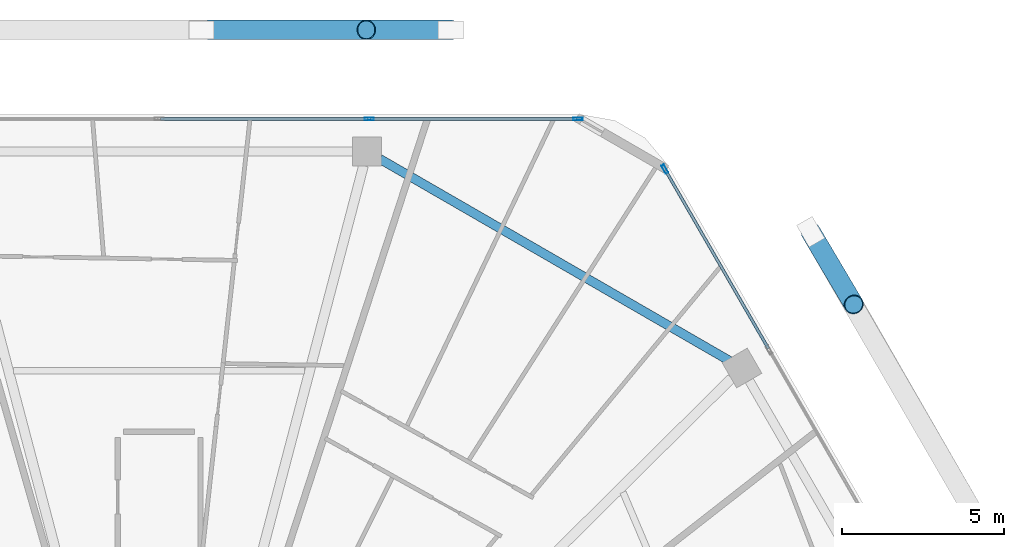
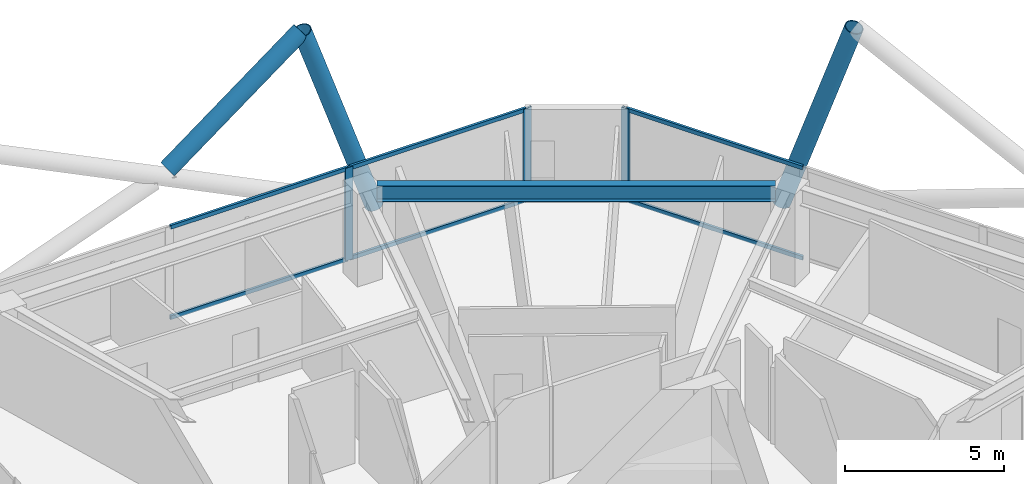
# One storey, part 18 of 29: 12 members, 1 beam, 2 elements without a shape of their own.
"""IFC4 building model written with IfcOpenShell, lengths in metres."""

import ifcopenshell
import ifcopenshell.guid

model = None  # the IFC model being written
_history = None  # IfcOwnerHistory: only IFC2X3 demands one
_inside = {}  # id of a spatial element -> (the spatial element, [elements in it])
_under = {}  # id of a project, library or spatial element -> (it, [spatial elements below it])
_declared = {}  # id of a project -> (the project, [libraries it declares])
_typed = {}  # id of a type object -> (the type object, [elements of that type])
_made_of = {}  # id of a material, layer set ... -> (it, [elements and type objects made of it])


def new_model(schema):
    """Start an empty IFC model of exactly this schema.

    Asked for "IFC4X3", IfcOpenShell would pick the latest addendum, in which some entities
    have other attributes; the version numbers below select the first issue.
    IFC2X3 requires an IfcOwnerHistory on every rooted entity: one is made here for all.
    """
    global model, _history
    if schema == "IFC4X3":
        model = ifcopenshell.file(schema_version=(4, 3, 0, 0))
    else:
        model = ifcopenshell.file(schema=schema)
    _inside.clear()
    _under.clear()
    _declared.clear()
    _typed.clear()
    _made_of.clear()
    _history = None
    if model.schema == "IFC2X3":
        org = make("IfcOrganization", Name="unknown")
        user = make(
            "IfcPersonAndOrganization",
            ThePerson=make("IfcPerson", FamilyName="unknown"),
            TheOrganization=org,
        )
        app = make(
            "IfcApplication",
            ApplicationDeveloper=org,
            Version="unknown",
            ApplicationFullName="unknown",
            ApplicationIdentifier="unknown",
        )
        _history = make(
            "IfcOwnerHistory",
            OwningUser=user,
            OwningApplication=app,
            ChangeAction="ADDED",
            CreationDate=0,
        )
    return model


def make(cls, **values):
    """One entity of the class cls with the attributes given. An attribute that is None is left unset."""
    return model.create_entity(
        cls, **{name: value for name, value in values.items() if value is not None}
    )


def rooted(cls, **values):
    """An entity with a GlobalId (a new one), such as an element, a storey or a relation."""
    return make(cls, GlobalId=ifcopenshell.guid.new(), OwnerHistory=_history, **values)


def si_unit(unit_type, name, prefix=None):
    """IfcSIUnit, for example si_unit("LENGTHUNIT", "METRE", prefix="MILLI")."""
    return make("IfcSIUnit", UnitType=unit_type, Prefix=prefix, Name=name)


def assignment(units):
    """IfcUnitAssignment: the units of a project."""
    return None if units is None else make("IfcUnitAssignment", Units=units)


def point(xyz):
    """IfcCartesianPoint."""
    return None if xyz is None else make("IfcCartesianPoint", Coordinates=xyz)


def direction(xyz):
    """IfcDirection."""
    return None if xyz is None else make("IfcDirection", DirectionRatios=xyz)


def frame(location, z_axis=None, x_axis=None):
    """IfcAxis2Placement3D, a coordinate frame: its origin and axes. An axis left out is left unset."""
    return make(
        "IfcAxis2Placement3D",
        Location=point(location),
        Axis=direction(z_axis),
        RefDirection=direction(x_axis),
    )


def frame_2d(location, x_axis=None):
    """IfcAxis2Placement2D, a coordinate frame in the plane: its origin and x axis."""
    return make(
        "IfcAxis2Placement2D", Location=point(location), RefDirection=direction(x_axis)
    )


def origin():
    """The frame at (0, 0, 0) with its axes left unset."""
    return frame((0.0, 0.0, 0.0))


def origin_2d():
    """The frame at (0, 0) in the plane with its x axis left unset."""
    return frame_2d((0.0, 0.0))


def place(relative_to, where):
    """IfcLocalPlacement: puts the frame where relative to a parent placement (None: the world)."""
    return make(
        "IfcLocalPlacement", PlacementRelTo=relative_to, RelativePlacement=where
    )


def context(
    kind, dimensions, precision=None, world=None, true_north=None, identifier=None
):
    """IfcGeometricRepresentationContext, for example the 3D "Model" context."""
    return make(
        "IfcGeometricRepresentationContext",
        ContextIdentifier=identifier,
        ContextType=kind,
        CoordinateSpaceDimension=dimensions,
        Precision=precision,
        WorldCoordinateSystem=world,
        TrueNorth=true_north,
    )


def subcontext(parent, identifier, kind, view, scale=None):
    """IfcGeometricRepresentationSubContext, for example "Body" below "Model"."""
    return make(
        "IfcGeometricRepresentationSubContext",
        ContextIdentifier=identifier,
        ContextType=kind,
        ParentContext=parent,
        TargetScale=scale,
        TargetView=view,
    )


def project(units=None, contexts=None):
    """IfcProject with its units and contexts."""
    return rooted(
        "IfcProject",
        Name="project",
        RepresentationContexts=contexts,
        UnitsInContext=assignment(units),
    )


def spatial(cls, under=None, at=None, **own):
    """A site, building, storey or space (cls), placed at a placement, below another one or the project."""
    s = rooted(cls, ObjectPlacement=at, **own)
    if under is not None:
        _under.setdefault(under.id(), (under, []))[1].append(s)
    return s


def profile(cls, at=None, kind="AREA", **sizes):
    """A parametric profile (cls). Its sizes go by their IFC names, for example OverallWidth=200.0."""
    return make(cls, ProfileType=kind, Position=at, **sizes)


def hollow_rectangle(**sizes):
    """IfcRectangleHollowProfileDef."""
    return profile("IfcRectangleHollowProfileDef", **sizes)


def hollow_circle(**sizes):
    """IfcCircleHollowProfileDef."""
    return profile("IfcCircleHollowProfileDef", **sizes)


def i_section(**sizes):
    """IfcIShapeProfileDef."""
    return profile("IfcIShapeProfileDef", **sizes)


def extrude(swept, where, along, depth):
    """IfcExtrudedAreaSolid: the profile swept, set in the frame where, extruded along a direction by depth."""
    return make(
        "IfcExtrudedAreaSolid",
        SweptArea=swept,
        Position=where,
        ExtrudedDirection=direction(along),
        Depth=depth,
    )


def shape(context_of_items, identifier, shape_type, items):
    """IfcShapeRepresentation: the items that make up one representation, for example the "Body"."""
    return make(
        "IfcShapeRepresentation",
        ContextOfItems=context_of_items,
        RepresentationIdentifier=identifier,
        RepresentationType=shape_type,
        Items=items,
    )


def material(Name=None, Category=None):
    """IfcMaterial."""
    return make("IfcMaterial", Name=Name, Category=Category)


def material_profile(
    of_material, cross_section, Name=None, Category=None, Priority=None
):
    """IfcMaterialProfile: a cross section and its material."""
    return make(
        "IfcMaterialProfile",
        Name=Name,
        Material=of_material,
        Profile=cross_section,
        Priority=Priority,
        Category=Category,
    )


def profile_set(profiles, Name=None, composite=None):
    """IfcMaterialProfileSet."""
    return make(
        "IfcMaterialProfileSet",
        Name=Name,
        MaterialProfiles=profiles,
        CompositeProfile=composite,
    )


def made_of(thing, what):
    """Note that an element or type object is made of a material, layer set ...; save() writes the relation."""
    if what is not None:
        _made_of.setdefault(what.id(), (what, []))[1].append(thing)
    return thing


def type_object(cls, material=None, **own):
    """A type object (cls), such as IfcWallType, which elements share."""
    return made_of(rooted(cls, **own), material)


def element(
    cls,
    number,
    at=None,
    inside=None,
    cuts=None,
    type_object=None,
    material=None,
    context=None,
    identifier="Body",
    shape_type=None,
    held_by="IfcProductDefinitionShape",
    body=None,
    shapes=None,
    **own,
):
    """One element of the class cls, such as IfcWall. Its Tag is "e" and its number.

    at: its placement. inside: the storey or other place that contains it. cuts: it is an
    opening in that element (IfcRelVoidsElement). A single representation is given by context,
    identifier, shape_type and body (its items); several are given by shapes. held_by: the class
    of the entity that holds the representations. save() writes the other relations.
    """
    e = rooted(cls, Tag="e%d" % number, ObjectPlacement=at, **own)
    if body is not None:
        shapes = [shape(context, identifier, shape_type, body)]
    if shapes is not None:
        e.Representation = make(held_by, Representations=shapes)
    if inside is not None:
        _inside.setdefault(inside.id(), (inside, []))[1].append(e)
    if cuts is not None:
        rooted(
            "IfcRelVoidsElement", RelatingBuildingElement=cuts, RelatedOpeningElement=e
        )
    if type_object is not None:
        _typed.setdefault(type_object.id(), (type_object, []))[1].append(e)
    return made_of(e, material)


def aggregate(whole, parts):
    """IfcRelAggregates: a whole, such as a stair, and the parts it consists of."""
    return rooted("IfcRelAggregates", RelatingObject=whole, RelatedObjects=parts)


def save(model, path):
    """Write the relations noted so far, then the file.

    IfcRelAggregates (storeys below a building ...), IfcRelContainedInSpatialStructure (elements
    in a storey), IfcRelDefinesByType, IfcRelAssociatesMaterial and IfcRelDeclares: one each for
    every whole, place, type object, material and project.
    """
    for whole, parts in _under.values():
        aggregate(whole, parts)
    for where, things in _inside.values():
        rooted(
            "IfcRelContainedInSpatialStructure",
            RelatedElements=things,
            RelatingStructure=where,
        )
    for kind, things in _typed.values():
        rooted("IfcRelDefinesByType", RelatedObjects=things, RelatingType=kind)
    for what, things in _made_of.values():
        rooted("IfcRelAssociatesMaterial", RelatedObjects=things, RelatingMaterial=what)
    for by, libraries in _declared.values():
        rooted("IfcRelDeclares", RelatingContext=by, RelatedDefinitions=libraries)
    model.write(path)


model = new_model("IFC4")

# Units and contexts
model_context = context("Model", 3, precision=1e-05, world=origin(), true_north=direction((0.0, 1.0)))
body_context = subcontext(model_context, "Body", "Model", "MODEL_VIEW")
ifc_project = project(units=[si_unit("LENGTHUNIT", "METRE"), si_unit("AREAUNIT", "SQUARE_METRE"), si_unit("VOLUMEUNIT", "CUBIC_METRE"), si_unit("PLANEANGLEUNIT", "RADIAN"), si_unit("MASSUNIT", "GRAM", prefix="KILO")], contexts=[model_context])

# Site, building, storey
site_placement = place(None, origin())
site = spatial("IfcSite", under=ifc_project, at=site_placement, CompositionType="ELEMENT")
building_placement = place(site_placement, origin())
building = spatial("IfcBuilding", under=site, at=building_placement, Name="Zuhravey Tower", CompositionType="ELEMENT")
storey_placement = place(building_placement, frame((0.0, 0.0, 246.39990234375)))
storey = spatial("IfcBuildingStorey", under=building, at=storey_placement, Name="L62", CompositionType="ELEMENT", Elevation=246.39990234375)

# Curtain wall, members
ifc_material_1 = material(Name="Thermally broken anodised aluminium", Category="aluminium")
curtain_wall_type = type_object("IfcCurtainWallType", Name="Zone 3-4 High-Rise Curtain Wall CW4", PredefinedType="NOTDEFINED", material=ifc_material_1)
curtain_wall_1_placement = place(storey_placement, origin())
curtain_wall_1 = element("IfcCurtainWall", 1, at=curtain_wall_1_placement, inside=storey, type_object=curtain_wall_type, Name="L62 CW4 CW-L62-F2-1", PredefinedType="NOTDEFINED")
ifc_material_2 = material(Name="Anodised aluminium", Category="aluminium")
ifc_material_profile_1 = material_profile(ifc_material_2, hollow_rectangle(XDim=0.090087890625, YDim=0.284912109375, WallThickness=0.0048828125, at=origin_2d()), Name="ALU-RHS-90x285x5")
ifc_profile_set_1 = profile_set([ifc_material_profile_1], Name="Anodised aluminium")
member_type_1 = type_object("IfcMemberType", Name="Curtain-Wall Mullion 90x180", PredefinedType="MULLION", material=ifc_profile_set_1)
member_1_placement = place(storey_placement, frame((42.50634765625, 57.563720703125, 0.0), z_axis=(0.0, 0.0, 1.0), x_axis=(0.0, 1.0, 0.0)))
member_1 = element("IfcMember", 2, at=member_1_placement, type_object=member_type_1, Name="CW4 mullion 4", PredefinedType="MULLION", context=body_context, shape_type="SweptSolid", body=[
    extrude(hollow_rectangle(XDim=0.090087890625, YDim=0.284912109375, WallThickness=0.0048828125, at=origin_2d()), origin(), (0.0, 0.0, 1.0), 3.550048828125),
])
member_2_placement = place(storey_placement, frame((48.9677734375, 57.563720703125, 0.0), z_axis=(0.0, 0.0, 1.0), x_axis=(0.0, 1.0, 0.0)))
member_2 = element("IfcMember", 3, at=member_2_placement, type_object=member_type_1, Name="CW4 mullion 5", PredefinedType="MULLION", context=body_context, shape_type="SweptSolid", body=[
    extrude(hollow_rectangle(XDim=0.090087890625, YDim=0.284912109375, WallThickness=0.0048828125, at=origin_2d()), origin(), (0.0, 0.0, 1.0), 3.550048828125),
])

# Curtain wall, member
curtain_wall_2_placement = place(storey_placement, origin())
curtain_wall_2 = element("IfcCurtainWall", 4, at=curtain_wall_2_placement, inside=storey, type_object=curtain_wall_type, Name="L62 CW4 CW-L62-F1-1", PredefinedType="NOTDEFINED")
member_3_placement = place(storey_placement, frame((51.65478515625, 56.01220703125, 0.0), z_axis=(0.0, 0.0, 1.0), x_axis=(0.866024851021, 0.500000957414, 0.0)))
member_3 = element("IfcMember", 5, at=member_3_placement, type_object=member_type_1, Name="CW4 mullion 1", PredefinedType="MULLION", context=body_context, shape_type="SweptSolid", body=[
    extrude(hollow_rectangle(XDim=0.090087890625, YDim=0.284912109375, WallThickness=0.0048828125, at=origin_2d()), origin(), (0.0, 0.0, 1.0), 3.550048828125),
])

# Member
ifc_material_profile_2 = material_profile(ifc_material_2, hollow_rectangle(XDim=0.090087890625, YDim=0.14990234375, WallThickness=0.0048828125, at=origin_2d()), Name="ALU-RHS-90x150x5")
ifc_profile_set_2 = profile_set([ifc_material_profile_2], Name="Anodised aluminium")
member_type_2 = type_object("IfcMemberType", Name="Curtain-Wall Transom 90x150", PredefinedType="USERDEFINED", material=ifc_profile_set_2)
member_4_placement = place(storey_placement, frame((36.044921875, 57.563720703125, 0.045166015625), z_axis=(1.0, 0.0, 0.0), x_axis=(0.0, 1.0, 0.0)))
member_4 = element("IfcMember", 6, at=member_4_placement, type_object=member_type_2, Name="CW4 transom 3.1", ObjectType="TRANSOM", PredefinedType="USERDEFINED", context=body_context, shape_type="SweptSolid", body=[
    extrude(hollow_rectangle(XDim=0.090087890625, YDim=0.14990234375, WallThickness=0.0048828125, at=origin_2d()), origin(), (0.0, 0.0, 1.0), 6.41650390625),
])

member_5_placement = place(storey_placement, frame((36.044921875, 57.563720703125, 3.505126953125), z_axis=(1.0, 0.0, 0.0), x_axis=(0.0, 1.0, 0.0)))
member_5 = element("IfcMember", 7, at=member_5_placement, type_object=member_type_2, Name="CW4 transom 3.2", ObjectType="TRANSOM", PredefinedType="USERDEFINED", context=body_context, shape_type="SweptSolid", body=[
    extrude(hollow_rectangle(XDim=0.090087890625, YDim=0.14990234375, WallThickness=0.0048828125, at=origin_2d()), origin(), (0.0, 0.0, 1.0), 6.41650390625),
])

member_6_placement = place(storey_placement, frame((42.55126953125, 57.563720703125, 0.045166015625), z_axis=(1.0, 0.0, 0.0), x_axis=(0.0, 1.0, 0.0)))
member_6 = element("IfcMember", 8, at=member_6_placement, type_object=member_type_2, Name="CW4 transom 4.1", ObjectType="TRANSOM", PredefinedType="USERDEFINED", context=body_context, shape_type="SweptSolid", body=[
    extrude(hollow_rectangle(XDim=0.090087890625, YDim=0.14990234375, WallThickness=0.0048828125, at=origin_2d()), origin(), (0.0, 0.0, 1.0), 6.371337890625),
])

member_7_placement = place(storey_placement, frame((42.55126953125, 57.563720703125, 3.505126953125), z_axis=(1.0, 0.0, 0.0), x_axis=(0.0, 1.0, 0.0)))
member_7 = element("IfcMember", 9, at=member_7_placement, type_object=member_type_2, Name="CW4 transom 4.2", ObjectType="TRANSOM", PredefinedType="USERDEFINED", context=body_context, shape_type="SweptSolid", body=[
    extrude(hollow_rectangle(XDim=0.090087890625, YDim=0.14990234375, WallThickness=0.0048828125, at=origin_2d()), origin(), (0.0, 0.0, 1.0), 6.371337890625),
])

aggregate(curtain_wall_1, [member_1, member_2, member_4, member_5, member_6, member_7])

member_8_placement = place(storey_placement, frame((51.677490234375, 55.97314453125, 0.045166015625), z_axis=(0.499980071345, -0.866036909293, 0.0), x_axis=(0.866036909293, 0.499980071345, 0.0)))
member_8 = element("IfcMember", 10, at=member_8_placement, type_object=member_type_2, Name="CW4 transom 1.1", ObjectType="TRANSOM", PredefinedType="USERDEFINED", context=body_context, shape_type="SweptSolid", body=[
    extrude(hollow_rectangle(XDim=0.090087890625, YDim=0.14990234375, WallThickness=0.0048828125, at=origin_2d()), origin(), (0.0, 0.0, 1.0), 6.371337890625),
])

member_9_placement = place(storey_placement, frame((51.677490234375, 55.97314453125, 3.505126953125), z_axis=(0.499980071345, -0.866036909293, 0.0), x_axis=(0.866036909293, 0.499980071345, 0.0)))
member_9 = element("IfcMember", 11, at=member_9_placement, type_object=member_type_2, Name="CW4 transom 1.2", ObjectType="TRANSOM", PredefinedType="USERDEFINED", context=body_context, shape_type="SweptSolid", body=[
    extrude(hollow_rectangle(XDim=0.090087890625, YDim=0.14990234375, WallThickness=0.0048828125, at=origin_2d()), origin(), (0.0, 0.0, 1.0), 6.371337890625),
])

aggregate(curtain_wall_2, [member_3, member_8, member_9])

# Members
ifc_material_3 = material(Name="Steel SM355", Category="steel")
ifc_material_profile_3 = material_profile(ifc_material_3, hollow_circle(Radius=0.3046875, WallThickness=0.028076171875, at=origin_2d()), Name="CHS-609.6x28")
ifc_profile_set_3 = profile_set([ifc_material_profile_3], Name="Steel SM355")
member_type_3 = type_object("IfcMemberType", Name="Exoskeleton Zone 3 Diagrid CHS610x28", PredefinedType="BRACE", material=ifc_profile_set_3)
for number, where, z_axis, x_axis, name in (
    (12, (56.173583984375, 54.065673828125, -0.44580078125), (0.166263547493, -0.280502989926, 0.945343591197), (0.860238328743, 0.509892162876, 0.0), "L62 Face 1 Diagrid Brace 4"),
    (13, (45.022705078125, 60.323486328125, -0.44580078125), (-0.326060268586, 0.0, 0.945348983841), (0.0, -1.0, 0.0), "L62 Face 2 Diagrid Brace 1"),
):
    element("IfcMember", number, at=place(storey_placement, frame(where, z_axis=z_axis, x_axis=x_axis)), inside=storey, type_object=member_type_3, Name=name, PredefinedType="BRACE", context=body_context, shape_type="SweptSolid", body=[
        extrude(hollow_circle(Radius=0.3046875, WallThickness=0.028076171875, at=origin_2d()), origin(), (0.0, 0.0, 1.0), 8.001220703125),
    ])
member_10_placement = place(storey_placement, frame((37.547119140625, 60.323486328125, 3.512451171875), z_axis=(0.801714073603, 0.0, 0.597707741448), x_axis=(0.0, 1.0, 0.0)))
element("IfcMember", 14, at=member_10_placement, inside=storey, type_object=member_type_3, Name="L62 Face 2 Split Diagrid Brace 3B", PredefinedType="BRACE", context=body_context, shape_type="SweptSolid", body=[
    extrude(hollow_circle(Radius=0.3046875, WallThickness=0.028076171875, at=origin_2d()), origin(), (0.0, 0.0, 1.0), 6.02197265625),
])

# Beam
ifc_material_profile_4 = material_profile(ifc_material_3, i_section(OverallWidth=0.280029296875, OverallDepth=0.6201171875, WebThickness=0.011962890625, FlangeThickness=0.02001953125, at=origin_2d()), Name="H-620x280x12x20")
ifc_profile_set_4 = profile_set([ifc_material_profile_4], Name="Steel SM355")
beam_type = type_object("IfcBeamType", Name="Perimeter Ring Beam H620x280", PredefinedType="BEAM", material=ifc_profile_set_4)
beam_placement = place(storey_placement, frame((53.6513671875, 50.081298828125, 3.239990234375), z_axis=(-0.866025131093, 0.500000472315, 0.0), x_axis=(-0.500000472315, -0.866025131093, 0.0)))
element("IfcBeam", 15, at=beam_placement, inside=storey, type_object=beam_type, Name="L62 PB3 BM-L62-PB-02", PredefinedType="BEAM", context=body_context, shape_type="SweptSolid", body=[
    extrude(i_section(OverallWidth=0.280029296875, OverallDepth=0.6201171875, WebThickness=0.011962890625, FlangeThickness=0.02001953125, at=origin_2d()), origin(), (0.0, 0.0, 1.0), 12.49169921875),
])

save(model, "model.ifc")
